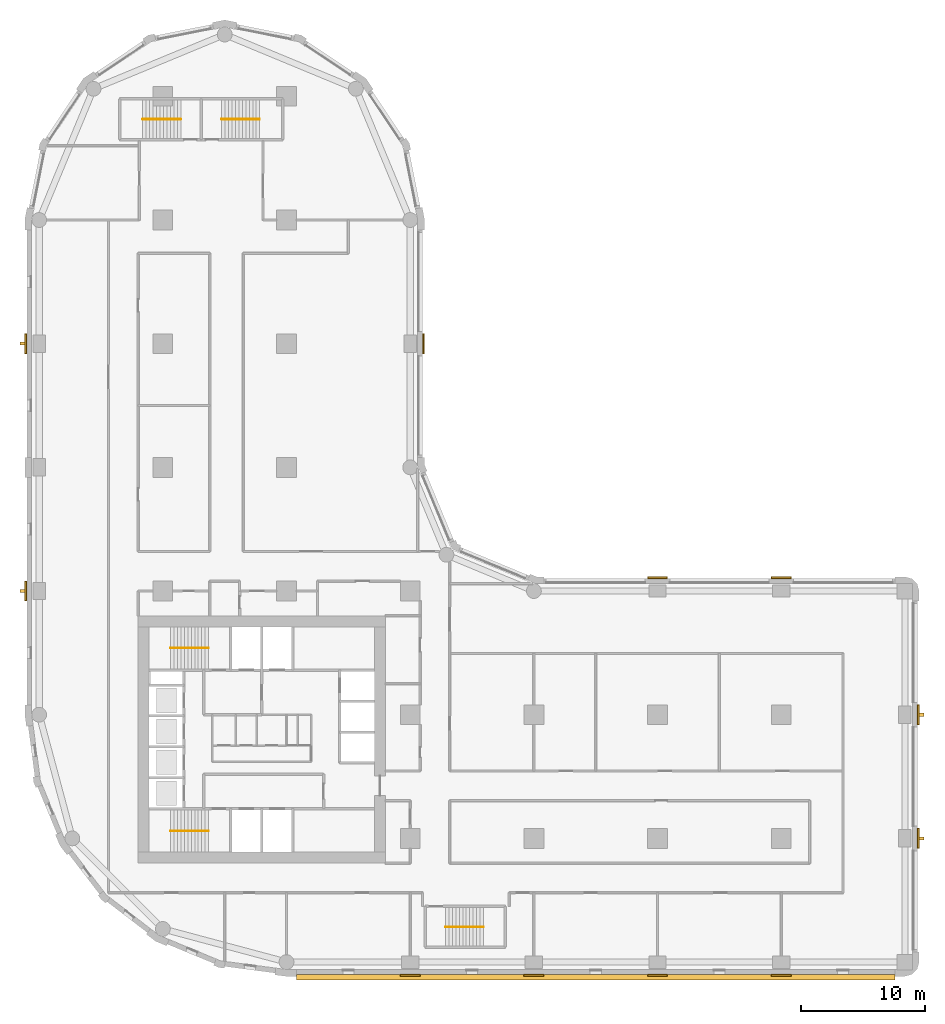
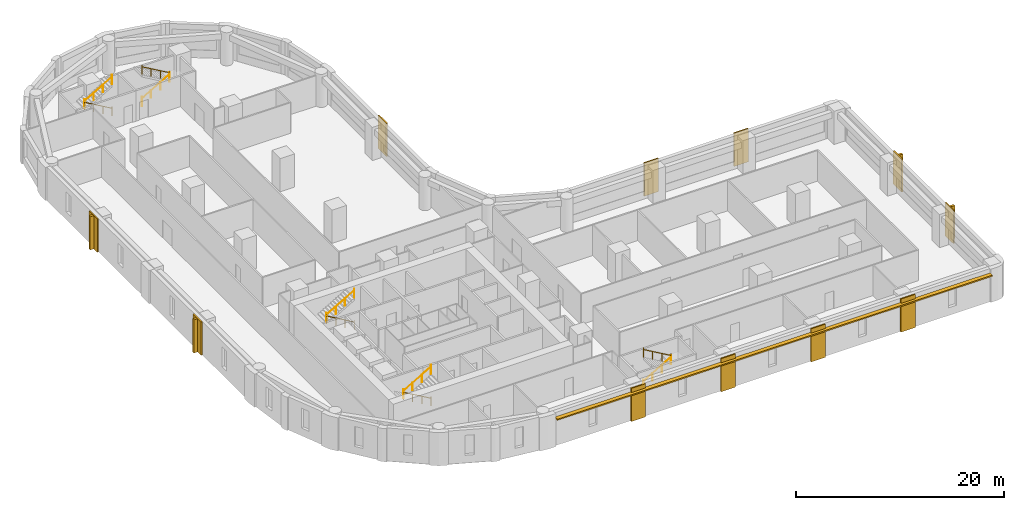
# One storey, part 10 of 11: 11 coverings, 10 railings, 5 shading devices.
"""IFC4 building model written with IfcOpenShell, lengths in metres."""

from ifc_helpers import new_model, si_unit, direction, frame, origin, origin_2d, place, context, subcontext, project, spatial, polyline, rectangle, circle, outline, extrude, material, layer, layer_set, type_object, element, save


model = new_model("IFC4")

# Units and contexts
model_context = context("Model", 3, precision=1e-05, world=origin(), true_north=direction((0.0, 1.0)))
body_context = subcontext(model_context, "Body", "Model", "MODEL_VIEW")
ifc_project = project(units=[si_unit("LENGTHUNIT", "METRE"), si_unit("AREAUNIT", "SQUARE_METRE"), si_unit("VOLUMEUNIT", "CUBIC_METRE"), si_unit("PLANEANGLEUNIT", "RADIAN"), si_unit("MASSUNIT", "GRAM", prefix="KILO")], contexts=[model_context])

# Site, building, storey
site_placement = place(None, origin())
site = spatial("IfcSite", under=ifc_project, at=site_placement, CompositionType="ELEMENT")
building_placement = place(site_placement, origin())
building = spatial("IfcBuilding", under=site, at=building_placement, Name="Qaws Garden Tower", CompositionType="ELEMENT")
storey_placement = place(building_placement, frame((0.0, 0.0, 86.10009765625)))
storey = spatial("IfcBuildingStorey", under=building, at=storey_placement, Name="L21", CompositionType="ELEMENT", Elevation=86.10009765625)

# Coverings
ifc_material_1 = material(Name="Clay facing brick masonry", Category="masonry")
ifc_layer_1 = layer(ifc_material_1, 0.14990234375)
ifc_layer_set_1 = layer_set([ifc_layer_1], Name="Clay facing brick masonry")
covering_type = type_object("IfcCoveringType", Name="Brick pilaster facing 150 x 1600", PredefinedType="CLADDING", material=ifc_layer_set_1)
placement = place(storey_placement, origin())
element("IfcCovering", 1, at=placement, inside=storey, type_object=covering_type, Name="E-L21-pier-01", PredefinedType="CLADDING", context=body_context, shape_type="SweptSolid", body=[
    extrude(outline(polyline([(29.199951171875, -1.0), (30.800048828125, -1.0), (30.800048828125, -1.14990234375), (29.199951171875, -1.14990234375), (29.199951171875, -1.0)])), origin(), (0.0, 0.0, 1.0), 3.89990234375),
])
element("IfcCovering", 2, at=placement, inside=storey, type_object=covering_type, Name="E-L21-pier-02", PredefinedType="CLADDING", context=body_context, shape_type="SweptSolid", body=[
    extrude(outline(polyline([(39.199951171875, -1.0), (40.800048828125, -1.0), (40.800048828125, -1.14990234375), (39.199951171875, -1.14990234375), (39.199951171875, -1.0)])), origin(), (0.0, 0.0, 1.0), 3.89990234375),
])
element("IfcCovering", 3, at=placement, inside=storey, type_object=covering_type, Name="E-L21-pier-03", PredefinedType="CLADDING", context=body_context, shape_type="SweptSolid", body=[
    extrude(outline(polyline([(49.199951171875, -1.0), (50.800048828125, -1.0), (50.800048828125, -1.14990234375), (49.199951171875, -1.14990234375), (49.199951171875, -1.0)])), origin(), (0.0, 0.0, 1.0), 3.89990234375),
])
element("IfcCovering", 4, at=placement, inside=storey, type_object=covering_type, Name="E-L21-pier-04", PredefinedType="CLADDING", context=body_context, shape_type="SweptSolid", body=[
    extrude(outline(polyline([(59.199951171875, -1.0), (60.800048828125, -1.0), (60.800048828125, -1.14990234375), (59.199951171875, -1.14990234375), (59.199951171875, -1.0)])), origin(), (0.0, 0.0, 1.0), 3.89990234375),
])
element("IfcCovering", 5, at=placement, inside=storey, type_object=covering_type, Name="E-L21-pier-06", PredefinedType="CLADDING", context=body_context, shape_type="SweptSolid", body=[
    extrude(outline(polyline([(71.0, 9.199951171875), (71.0, 10.800048828125), (71.14990234375, 10.800048828125), (71.14990234375, 9.199951171875), (71.0, 9.199951171875)])), origin(), (0.0, 0.0, 1.0), 3.89990234375),
])
element("IfcCovering", 6, at=placement, inside=storey, type_object=covering_type, Name="E-L21-pier-07", PredefinedType="CLADDING", context=body_context, shape_type="SweptSolid", body=[
    extrude(outline(polyline([(71.0, 19.199951171875), (71.0, 20.800048828125), (71.14990234375, 20.800048828125), (71.14990234375, 19.199951171875), (71.0, 19.199951171875)])), origin(), (0.0, 0.0, 1.0), 3.89990234375),
])
element("IfcCovering", 7, at=placement, inside=storey, type_object=covering_type, Name="E-L21-pier-09", PredefinedType="CLADDING", context=body_context, shape_type="SweptSolid", body=[
    extrude(outline(polyline([(60.800048828125, 31.0), (59.199951171875, 31.0), (59.199951171875, 31.14990234375), (60.800048828125, 31.14990234375), (60.800048828125, 31.0)])), origin(), (0.0, 0.0, 1.0), 3.89990234375),
])
element("IfcCovering", 8, at=placement, inside=storey, type_object=covering_type, Name="E-L21-pier-10", PredefinedType="CLADDING", context=body_context, shape_type="SweptSolid", body=[
    extrude(outline(polyline([(50.800048828125, 31.0), (49.199951171875, 31.0), (49.199951171875, 31.14990234375), (50.800048828125, 31.14990234375), (50.800048828125, 31.0)])), origin(), (0.0, 0.0, 1.0), 3.89990234375),
])
element("IfcCovering", 9, at=placement, inside=storey, type_object=covering_type, Name="E-L21-pier-14", PredefinedType="CLADDING", context=body_context, shape_type="SweptSolid", body=[
    extrude(outline(polyline([(31.0, 49.199951171875), (31.0, 50.800048828125), (31.14990234375, 50.800048828125), (31.14990234375, 49.199951171875), (31.0, 49.199951171875)])), origin(), (0.0, 0.0, 1.0), 3.89990234375),
])
element("IfcCovering", 10, at=placement, inside=storey, type_object=covering_type, Name="E-L21-pier-24", PredefinedType="CLADDING", context=body_context, shape_type="SweptSolid", body=[
    extrude(outline(polyline([(-1.0, 50.800048828125), (-1.0, 49.199951171875), (-1.14990234375, 49.199951171875), (-1.14990234375, 50.800048828125), (-1.0, 50.800048828125)])), origin(), (0.0, 0.0, 1.0), 3.89990234375),
])
element("IfcCovering", 11, at=placement, inside=storey, type_object=covering_type, Name="E-L21-pier-26", PredefinedType="CLADDING", context=body_context, shape_type="SweptSolid", body=[
    extrude(outline(polyline([(-1.0, 30.800048828125), (-1.0, 29.199951171875), (-1.14990234375, 29.199951171875), (-1.14990234375, 30.800048828125), (-1.0, 30.800048828125)])), origin(), (0.0, 0.0, 1.0), 3.89990234375),
])

# Shading devices
ifc_material_2 = material(Name="Clay facing brick masonry", Category="masonry")
ifc_layer_2 = layer(ifc_material_2, 0.14990234375)
ifc_layer_set_2 = layer_set([ifc_layer_2], Name="Clay facing brick masonry")
shading_device_type_1 = type_object("IfcShadingDeviceType", Name="Brick sunshade band 450 x 150", PredefinedType="JALOUSIE", material=ifc_layer_set_2)
shading_device_placement = place(storey_placement, frame((0.0, 0.0, 3.25)))
element("IfcShadingDevice", 12, at=shading_device_placement, inside=storey, type_object=shading_device_type_1, Name="SUNSHADE 00", PredefinedType="JALOUSIE", context=body_context, shape_type="SweptSolid", body=[
    extrude(outline(polyline([(20.800048828125, -1.0), (20.800048828125, -1.449951171875), (69.199951171875, -1.449951171875), (69.199951171875, -1.0), (60.800048828125, -1.0), (60.800048828125, -1.14990234375), (59.199951171875, -1.14990234375), (59.199951171875, -1.0), (50.800048828125, -1.0), (50.800048828125, -1.14990234375), (49.199951171875, -1.14990234375), (49.199951171875, -1.0), (40.800048828125, -1.0), (40.800048828125, -1.14990234375), (39.199951171875, -1.14990234375), (39.199951171875, -1.0), (30.800048828125, -1.0), (30.800048828125, -1.14990234375), (29.199951171875, -1.14990234375), (29.199951171875, -1.0), (20.800048828125, -1.0)])), origin(), (0.0, 0.0, 1.0), 0.14990234375),
])
ifc_material_3 = material(Name="Clay facing brick masonry", Category="masonry")
ifc_layer_3 = layer(ifc_material_3, 0.25)
ifc_layer_set_3 = layer_set([ifc_layer_3], Name="Clay facing brick masonry")
shading_device_type_2 = type_object("IfcShadingDeviceType", Name="Brick-faced fin 250 x 400", PredefinedType="USERDEFINED", material=ifc_layer_set_3)
for number, where, z_axis, x_axis, name in (
    (13, (71.35009765625, 10.0, 0.0), (0.0, 0.0, 1.0), (0.0, 1.0, 0.0), "FIN 06"),
    (14, (71.35009765625, 20.0, 0.0), (0.0, 0.0, 1.0), (0.0, 1.0, 0.0), "FIN 07"),
    (15, (-1.35009765625, 50.0, 0.0), (0.0, 0.0, 1.0), (0.0, -1.0, 0.0), "FIN 24"),
    (16, (-1.35009765625, 30.0, 0.0), (0.0, 0.0, 1.0), (0.0, -1.0, 0.0), "FIN 26"),
):
    element("IfcShadingDevice", number, at=place(storey_placement, frame(where, z_axis=z_axis, x_axis=x_axis)), inside=storey, type_object=shading_device_type_2, Name=name, ObjectType="FIN", PredefinedType="USERDEFINED", context=body_context, shape_type="SweptSolid", body=[
        extrude(rectangle(XDim=0.25, YDim=0.39990234375, at=origin_2d()), origin(), (0.0, 0.0, 1.0), 3.89990234375),
    ])

# Railings
ifc_material_4 = material(Name="Steel S355", Category="steel")
railing_type = type_object("IfcRailingType", Name="Stair handrail 900", PredefinedType="HANDRAIL", material=ifc_material_4)
railing_1_placement = place(storey_placement, frame((13.699951171875, 10.60009765625, 0.162353515625)))
element("IfcRailing", 17, at=railing_1_placement, inside=storey, type_object=railing_type, Name="Stair 1 handrail", PredefinedType="HANDRAIL", context=body_context, shape_type="SweptSolid", body=[
    extrude(circle(Radius=0.02392578125, at=origin_2d()), frame((0.0, 0.0, 0.8759765625), z_axis=(-0.864873446163, 0.0, 0.501989962173), x_axis=(0.0, -1.0, 0.0)), (0.0, 0.0, 1.0), 3.56103515625),
    extrude(circle(Radius=0.02099609375, at=origin_2d()), origin(), (0.0, 0.0, 1.0), 1.06201171875),
    extrude(circle(Radius=0.02099609375, at=origin_2d()), frame((-1.026611328125, 0.0, 0.595947265625)), (0.0, 0.0, 1.0), 0.851806640625),
    extrude(circle(Radius=0.02099609375, at=origin_2d()), frame((-2.05322265625, 0.0, 1.191650390625)), (0.0, 0.0, 1.0), 0.851806640625),
    extrude(circle(Radius=0.02099609375, at=origin_2d()), frame((-3.079833984375, 0.0, 1.78759765625)), (0.0, 0.0, 1.0), 1.06201171875),
])
railing_2_placement = place(storey_placement, frame((10.6201171875, 10.60009765625, 2.1123046875)))
element("IfcRailing", 18, at=railing_2_placement, inside=storey, type_object=railing_type, Name="Stair 1 handrail", PredefinedType="HANDRAIL", context=body_context, shape_type="SweptSolid", body=[
    extrude(circle(Radius=0.02392578125, at=origin_2d()), frame((0.0, 0.0, 0.8759765625), z_axis=(0.864873446163, 0.0, 0.501989962173), x_axis=(0.0, 1.0, 0.0)), (0.0, 0.0, 1.0), 3.56103515625),
    extrude(circle(Radius=0.02099609375, at=origin_2d()), origin(), (0.0, 0.0, 1.0), 1.06201171875),
    extrude(circle(Radius=0.02099609375, at=origin_2d()), frame((1.026611328125, 0.0, 0.595947265625)), (0.0, 0.0, 1.0), 0.851806640625),
    extrude(circle(Radius=0.02099609375, at=origin_2d()), frame((2.05322265625, 0.0, 1.191650390625)), (0.0, 0.0, 1.0), 0.851806640625),
    extrude(circle(Radius=0.02099609375, at=origin_2d()), frame((3.079833984375, 0.0, 1.78759765625)), (0.0, 0.0, 1.0), 1.06201171875),
])
railing_3_placement = place(storey_placement, frame((13.699951171875, 25.39990234375, 0.162353515625)))
element("IfcRailing", 19, at=railing_3_placement, inside=storey, type_object=railing_type, Name="Stair 4 handrail", PredefinedType="HANDRAIL", context=body_context, shape_type="SweptSolid", body=[
    extrude(circle(Radius=0.02392578125, at=origin_2d()), frame((0.0, 0.0, 0.8759765625), z_axis=(-0.864873446163, 0.0, 0.501989962173), x_axis=(0.0, -1.0, 0.0)), (0.0, 0.0, 1.0), 3.56103515625),
    extrude(circle(Radius=0.02099609375, at=origin_2d()), origin(), (0.0, 0.0, 1.0), 1.06201171875),
    extrude(circle(Radius=0.02099609375, at=origin_2d()), frame((-1.026611328125, 0.0, 0.595947265625)), (0.0, 0.0, 1.0), 0.851806640625),
    extrude(circle(Radius=0.02099609375, at=origin_2d()), frame((-2.05322265625, 0.0, 1.191650390625)), (0.0, 0.0, 1.0), 0.851806640625),
    extrude(circle(Radius=0.02099609375, at=origin_2d()), frame((-3.079833984375, 0.0, 1.78759765625)), (0.0, 0.0, 1.0), 1.06201171875),
])
for number, where, name in (
    (20, (10.6201171875, 25.39990234375, 2.1123046875), "Stair 4 handrail"),
    (21, (32.85009765625, 2.85009765625, 0.162353515625), "Stair 5 handrail"),
):
    element("IfcRailing", number, at=place(storey_placement, frame(where)), inside=storey, type_object=railing_type, Name=name, PredefinedType="HANDRAIL", context=body_context, shape_type="SweptSolid", body=[
        extrude(circle(Radius=0.02392578125, at=origin_2d()), frame((0.0, 0.0, 0.8759765625), z_axis=(0.864873446163, 0.0, 0.501989962173), x_axis=(0.0, 1.0, 0.0)), (0.0, 0.0, 1.0), 3.56103515625),
        extrude(circle(Radius=0.02099609375, at=origin_2d()), origin(), (0.0, 0.0, 1.0), 1.06201171875),
        extrude(circle(Radius=0.02099609375, at=origin_2d()), frame((1.026611328125, 0.0, 0.595947265625)), (0.0, 0.0, 1.0), 0.851806640625),
        extrude(circle(Radius=0.02099609375, at=origin_2d()), frame((2.05322265625, 0.0, 1.191650390625)), (0.0, 0.0, 1.0), 0.851806640625),
        extrude(circle(Radius=0.02099609375, at=origin_2d()), frame((3.079833984375, 0.0, 1.78759765625)), (0.0, 0.0, 1.0), 1.06201171875),
    ])
for number, where, name in (
    (22, (35.929931640625, 2.85009765625, 2.1123046875), "Stair 5 handrail"),
    (23, (11.449951171875, 68.14990234375, 0.162353515625), "Stair 6 handrail"),
):
    element("IfcRailing", number, at=place(storey_placement, frame(where)), inside=storey, type_object=railing_type, Name=name, PredefinedType="HANDRAIL", context=body_context, shape_type="SweptSolid", body=[
        extrude(circle(Radius=0.02392578125, at=origin_2d()), frame((0.0, 0.0, 0.8759765625), z_axis=(-0.864873446163, 0.0, 0.501989962173), x_axis=(0.0, -1.0, 0.0)), (0.0, 0.0, 1.0), 3.56103515625),
        extrude(circle(Radius=0.02099609375, at=origin_2d()), origin(), (0.0, 0.0, 1.0), 1.06201171875),
        extrude(circle(Radius=0.02099609375, at=origin_2d()), frame((-1.026611328125, 0.0, 0.595947265625)), (0.0, 0.0, 1.0), 0.851806640625),
        extrude(circle(Radius=0.02099609375, at=origin_2d()), frame((-2.05322265625, 0.0, 1.191650390625)), (0.0, 0.0, 1.0), 0.851806640625),
        extrude(circle(Radius=0.02099609375, at=origin_2d()), frame((-3.079833984375, 0.0, 1.78759765625)), (0.0, 0.0, 1.0), 1.06201171875),
    ])
railing_4_placement = place(storey_placement, frame((8.3701171875, 68.14990234375, 2.1123046875)))
element("IfcRailing", 24, at=railing_4_placement, inside=storey, type_object=railing_type, Name="Stair 6 handrail", PredefinedType="HANDRAIL", context=body_context, shape_type="SweptSolid", body=[
    extrude(circle(Radius=0.02392578125, at=origin_2d()), frame((0.0, 0.0, 0.8759765625), z_axis=(0.864873446163, 0.0, 0.501989962173), x_axis=(0.0, 1.0, 0.0)), (0.0, 0.0, 1.0), 3.56103515625),
    extrude(circle(Radius=0.02099609375, at=origin_2d()), origin(), (0.0, 0.0, 1.0), 1.06201171875),
    extrude(circle(Radius=0.02099609375, at=origin_2d()), frame((1.026611328125, 0.0, 0.595947265625)), (0.0, 0.0, 1.0), 0.851806640625),
    extrude(circle(Radius=0.02099609375, at=origin_2d()), frame((2.05322265625, 0.0, 1.191650390625)), (0.0, 0.0, 1.0), 0.851806640625),
    extrude(circle(Radius=0.02099609375, at=origin_2d()), frame((3.079833984375, 0.0, 1.78759765625)), (0.0, 0.0, 1.0), 1.06201171875),
])
railing_5_placement = place(storey_placement, frame((14.75, 68.14990234375, 0.162353515625)))
element("IfcRailing", 25, at=railing_5_placement, inside=storey, type_object=railing_type, Name="Stair 7 handrail", PredefinedType="HANDRAIL", context=body_context, shape_type="SweptSolid", body=[
    extrude(circle(Radius=0.02392578125, at=origin_2d()), frame((0.0, 0.0, 0.8759765625), z_axis=(0.864890721111, 0.0, 0.501960198159), x_axis=(0.0, 1.0, 0.0)), (0.0, 0.0, 1.0), 3.561279296875),
    extrude(circle(Radius=0.02099609375, at=origin_2d()), origin(), (0.0, 0.0, 1.0), 1.06201171875),
    extrude(circle(Radius=0.02099609375, at=origin_2d()), frame((1.026611328125, 0.0, 0.595947265625)), (0.0, 0.0, 1.0), 0.851806640625),
    extrude(circle(Radius=0.02099609375, at=origin_2d()), frame((2.053466796875, 0.0, 1.191650390625)), (0.0, 0.0, 1.0), 0.851806640625),
    extrude(circle(Radius=0.02099609375, at=origin_2d()), frame((3.080078125, 0.0, 1.78759765625)), (0.0, 0.0, 1.0), 1.06201171875),
])
railing_6_placement = place(storey_placement, frame((17.830078125, 68.14990234375, 2.1123046875)))
element("IfcRailing", 26, at=railing_6_placement, inside=storey, type_object=railing_type, Name="Stair 7 handrail", PredefinedType="HANDRAIL", context=body_context, shape_type="SweptSolid", body=[
    extrude(circle(Radius=0.02392578125, at=origin_2d()), frame((0.0, 0.0, 0.8759765625), z_axis=(-0.864890721111, 0.0, 0.501960198159), x_axis=(0.0, -1.0, 0.0)), (0.0, 0.0, 1.0), 3.561279296875),
    extrude(circle(Radius=0.02099609375, at=origin_2d()), origin(), (0.0, 0.0, 1.0), 1.06201171875),
    extrude(circle(Radius=0.02099609375, at=origin_2d()), frame((-1.026611328125, 0.0, 0.595947265625)), (0.0, 0.0, 1.0), 0.851806640625),
    extrude(circle(Radius=0.02099609375, at=origin_2d()), frame((-2.053466796875, 0.0, 1.191650390625)), (0.0, 0.0, 1.0), 0.851806640625),
    extrude(circle(Radius=0.02099609375, at=origin_2d()), frame((-3.080078125, 0.0, 1.78759765625)), (0.0, 0.0, 1.0), 1.06201171875),
])

save(model, "model.ifc")
